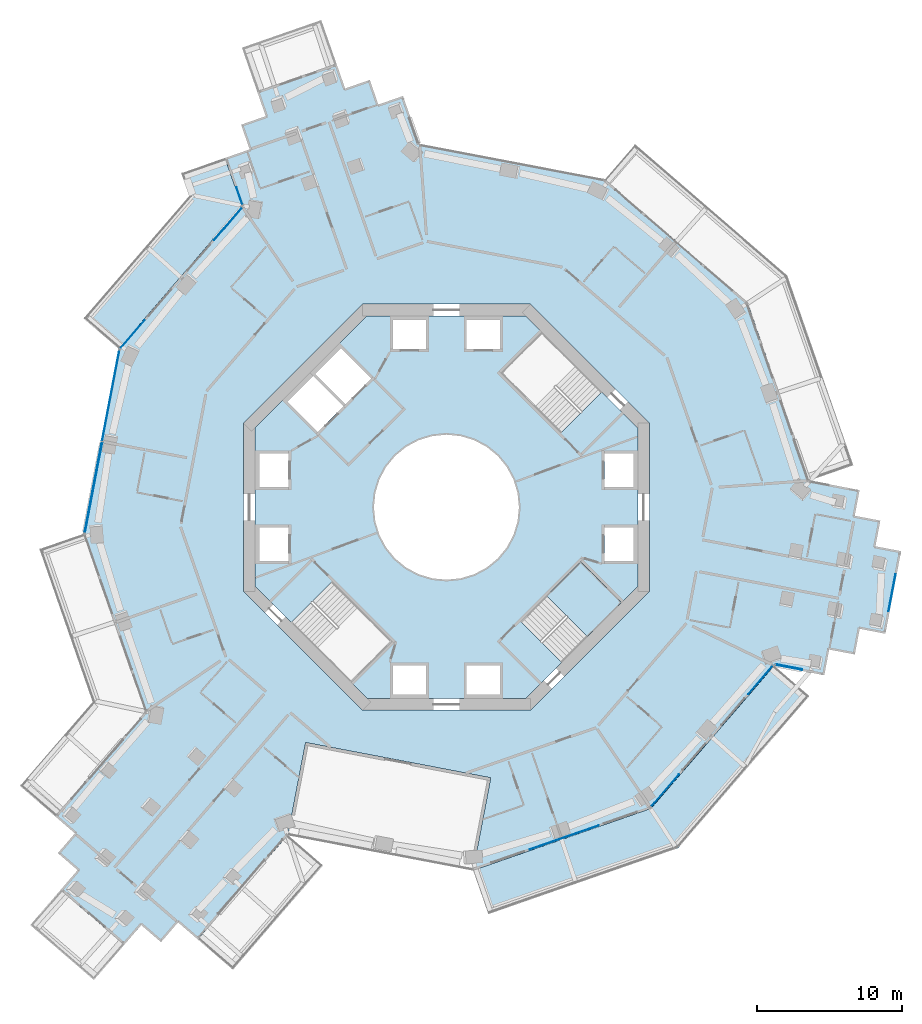
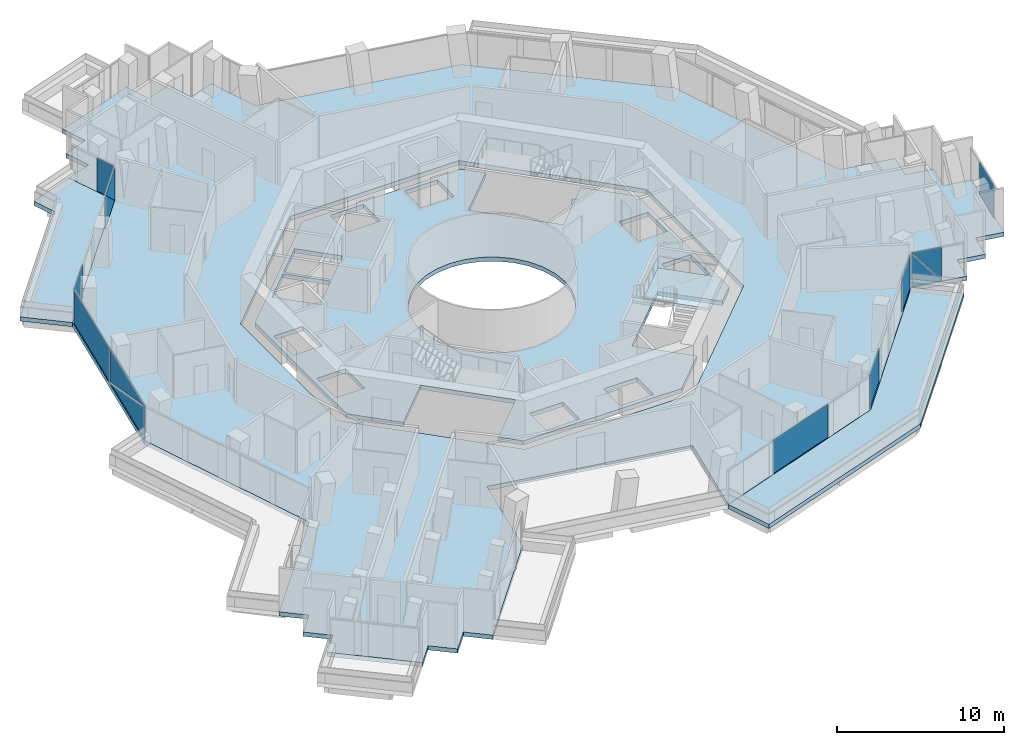
# One storey, part 12 of 23: 13 plates, 5 slabs, 8 elements without a shape of their own.
"""IFC4 building model written with IfcOpenShell, lengths in metres."""

from ifc_helpers import new_model, si_unit, direction, frame, origin, origin_2d, place, context, subcontext, project, spatial, polyline, rectangle, outline, extrude, material, layer, layer_set, type_object, element, aggregate, save


model = new_model("IFC4")

# Units and contexts
model_context = context("Model", 3, precision=1e-05, world=origin(), true_north=direction((0.0, 1.0)))
body_context = subcontext(model_context, "Body", "Model", "MODEL_VIEW")
ifc_project = project(units=[si_unit("LENGTHUNIT", "METRE"), si_unit("AREAUNIT", "SQUARE_METRE"), si_unit("VOLUMEUNIT", "CUBIC_METRE"), si_unit("PLANEANGLEUNIT", "RADIAN"), si_unit("MASSUNIT", "GRAM", prefix="KILO")], contexts=[model_context])

# Site, building, storey
site_placement = place(None, origin())
site = spatial("IfcSite", under=ifc_project, at=site_placement, CompositionType="ELEMENT")
building_placement = place(site_placement, origin())
building = spatial("IfcBuilding", under=site, at=building_placement, Name="Verdalira Terraces Hotel", CompositionType="ELEMENT")
storey_placement = place(building_placement, frame((0.0, 0.0, 111.5)))
storey = spatial("IfcBuildingStorey", under=building, at=storey_placement, Name="L26", CompositionType="ELEMENT", Elevation=111.5)

# Slabs
ifc_material_1 = material(Name="Precast concrete C40/50", Category="concrete")
ifc_layer_1 = layer(ifc_material_1, 0.31005859375)
ifc_layer_set_1 = layer_set([ifc_layer_1], Name="Balcony deck 310")
slab_type_1 = type_object("IfcSlabType", Name="Balcony deck 310", PredefinedType="FLOOR", material=ifc_layer_set_1)
slab_1_placement = place(storey_placement, frame((0.0, 0.0, -0.310059)))
element("IfcSlab", 1, at=slab_1_placement, inside=storey, type_object=slab_type_1, Name="Balcony deck", PredefinedType="FLOOR", context=body_context, shape_type="SweptSolid", body=[
    extrude(outline(polyline([(-17.74585, 21.463623), (-25.032959, 13.021484), (-22.610596, 10.93042), (-14.116211, 20.77124), (-15.271484, 24.088867), (-18.293457, 23.036621), (-17.74585, 21.463623)])), origin(), (0.0, 0.0, 1.0), 0.310059),
])
slab_2_placement = place(storey_placement, frame((0.0, 0.0, -0.310059)))
element("IfcSlab", 2, at=slab_2_placement, inside=storey, type_object=slab_type_1, Name="Balcony deck", PredefinedType="FLOOR", context=body_context, shape_type="SweptSolid", body=[
    extrude(outline(polyline([(25.032959, -13.021484), (22.610596, -10.93042), (14.116211, -20.77124), (1.839355, -25.046631), (2.891602, -28.068604), (15.978271, -23.511475), (25.032959, -13.021484)])), origin(), (0.0, 0.0, 1.0), 0.310059),
])

# Curtain wall, plates
ifc_material_2 = material(Name="Clear glass", Category="glass")
ifc_layer_2 = layer(ifc_material_2, 0.14990234375)
ifc_layer_set_2 = layer_set([ifc_layer_2], Name="CW1 curtain wall")
curtain_wall_type_1 = type_object("IfcCurtainWallType", Name="CW1 curtain wall", PredefinedType="NOTDEFINED", material=ifc_layer_set_2)
curtain_wall_1_placement = place(storey_placement, origin())
curtain_wall_1 = element("IfcCurtainWall", 3, at=curtain_wall_1_placement, inside=storey, type_object=curtain_wall_type_1, Name="CW1 curtain wall L26 edge 11", PredefinedType="NOTDEFINED")
ifc_material_3 = material(Name="Clear glass", Category="glass")
ifc_layer_3 = layer(ifc_material_3, 0.028076171875)
ifc_layer_set_3 = layer_set([ifc_layer_3], Name="CW1 glass unit 28")
plate_type_1 = type_object("IfcPlateType", Name="CW1 glass unit 28", PredefinedType="CURTAIN_PANEL", material=ifc_layer_set_3)
plate_1_placement = place(storey_placement, frame((-15.056641, 19.54541, 1.212402), z_axis=(-0.756995056, 0.653420604, 0.0), x_axis=(-0.653420604, -0.756995056, 0.0)))
plate_1 = element("IfcPlate", 4, at=plate_1_placement, type_object=plate_type_1, Name="CW1 glass unit", PredefinedType="CURTAIN_PANEL", context=body_context, shape_type="SweptSolid", body=[
    extrude(outline(polyline([(-1.482422, -1.212402), (1.482422, -1.212402), (1.482422, 1.212402), (-1.482422, -1.212402)])), origin(), (0.0, 0.0, 1.0), 0.028076),
])
plate_2_placement = place(storey_placement, frame((-15.034668, 19.526611, 1.212402), z_axis=(-0.756995056, 0.653420604, 0.0), x_axis=(-0.653420604, -0.756995056, 0.0)))
plate_2 = element("IfcPlate", 5, at=plate_2_placement, type_object=plate_type_1, Name="CW1 glass unit", PredefinedType="CURTAIN_PANEL", context=body_context, shape_type="SweptSolid", body=[
    extrude(outline(polyline([(-1.482422, -1.212402), (1.482422, 1.212402), (-1.482422, 1.212402), (-1.482422, -1.212402)])), origin(), (0.0, 0.0, 1.0), 0.028076),
])
plate_3_placement = place(storey_placement, frame((-21.650635, 11.927734, 0.0), z_axis=(0.0, 0.0, 1.0), x_axis=(-0.653420604, -0.756995056, 0.0)))
plate_3 = element("IfcPlate", 6, at=plate_3_placement, type_object=plate_type_1, Name="CW1 glass unit", PredefinedType="CURTAIN_PANEL", context=body_context, shape_type="SweptSolid", body=[
    extrude(rectangle(XDim=2.564209, YDim=0.028076, at=origin_2d()), origin(), (0.0, 0.0, 1.0), 2.425049),
])
aggregate(curtain_wall_1, [plate_1, plate_2, plate_3])

curtain_wall_2_placement = place(storey_placement, origin())
curtain_wall_2 = element("IfcCurtainWall", 7, at=curtain_wall_2_placement, inside=storey, type_object=curtain_wall_type_1, Name="CW1 curtain wall L26 edge 12", PredefinedType="NOTDEFINED")
plate_4_placement = place(storey_placement, frame((-23.152588, 7.689453, 0.0), z_axis=(0.0, 0.0, 1.0), x_axis=(-0.187381315, -0.982287251, 0.0)))
plate_4 = element("IfcPlate", 8, at=plate_4_placement, type_object=plate_type_1, Name="CW1 glass unit", PredefinedType="CURTAIN_PANEL", context=body_context, shape_type="SweptSolid", body=[
    extrude(rectangle(XDim=6.369873, YDim=0.028076, at=origin_2d()), origin(), (0.0, 0.0, 1.0), 2.425049),
])
plate_5_placement = place(storey_placement, frame((-24.34375, 1.37085, 1.212402), z_axis=(-0.982287251, 0.187381315, 0.0), x_axis=(-0.187381315, -0.982287251, 0.0)))
plate_5 = element("IfcPlate", 9, at=plate_5_placement, type_object=plate_type_1, Name="CW1 glass unit", PredefinedType="CURTAIN_PANEL", context=body_context, shape_type="SweptSolid", body=[
    extrude(outline(polyline([(-3.185059, -1.212402), (3.185059, -1.212402), (3.185059, 1.212402), (-3.185059, -1.212402)])), origin(), (0.0, 0.0, 1.0), 0.028076),
])
plate_6_placement = place(storey_placement, frame((-24.315186, 1.365479, 1.212402), z_axis=(-0.982287251, 0.187381315, 0.0), x_axis=(-0.187381315, -0.982287251, 0.0)))
plate_6 = element("IfcPlate", 10, at=plate_6_placement, type_object=plate_type_1, Name="CW1 glass unit", PredefinedType="CURTAIN_PANEL", context=body_context, shape_type="SweptSolid", body=[
    extrude(outline(polyline([(-3.185059, -1.212402), (3.185059, 1.212402), (-3.185059, 1.212402), (-3.185059, -1.212402)])), origin(), (0.0, 0.0, 1.0), 0.028076),
])
aggregate(curtain_wall_2, [plate_4, plate_5, plate_6])

# Curtain wall, plate
curtain_wall_3_placement = place(storey_placement, origin())
curtain_wall_3 = element("IfcCurtainWall", 11, at=curtain_wall_3_placement, inside=storey, type_object=curtain_wall_type_1, Name="CW1 curtain wall L26 edge 26", PredefinedType="NOTDEFINED")
plate_7_placement = place(storey_placement, frame((8.12207, -22.779297, 0.0), z_axis=(0.0, 0.0, 1.0), x_axis=(0.94437637, 0.328866647, 0.0)))
plate_7 = element("IfcPlate", 12, at=plate_7_placement, type_object=plate_type_1, Name="CW1 glass unit", PredefinedType="CURTAIN_PANEL", context=body_context, shape_type="SweptSolid", body=[
    extrude(rectangle(XDim=5.021729, YDim=0.028076, at=origin_2d()), origin(), (0.0, 0.0, 1.0), 2.425049),
])
aggregate(curtain_wall_3, [plate_7])

# Curtain wall, plates
curtain_wall_4_placement = place(storey_placement, origin())
curtain_wall_4 = element("IfcCurtainWall", 13, at=curtain_wall_4_placement, inside=storey, type_object=curtain_wall_type_1, Name="CW1 curtain wall L26 edge 27", PredefinedType="NOTDEFINED")
plate_8_placement = place(storey_placement, frame((15.080566, -19.539551, 0.0), z_axis=(0.0, 0.0, 1.0), x_axis=(0.653420604, 0.756995056, 0.0)))
plate_8 = element("IfcPlate", 14, at=plate_8_placement, type_object=plate_type_1, Name="CW1 glass unit", PredefinedType="CURTAIN_PANEL", context=body_context, shape_type="SweptSolid", body=[
    extrude(rectangle(XDim=2.924805, YDim=0.028076, at=origin_2d()), origin(), (0.0, 0.0, 1.0), 2.425049),
])
plate_9_placement = place(storey_placement, frame((21.663818, -11.912598, 0.0), z_axis=(0.0, 0.0, 1.0), x_axis=(0.653420604, 0.756995056, 0.0)))
plate_9 = element("IfcPlate", 15, at=plate_9_placement, type_object=plate_type_1, Name="CW1 glass unit", PredefinedType="CURTAIN_PANEL", context=body_context, shape_type="SweptSolid", body=[
    extrude(rectangle(XDim=2.604492, YDim=0.028076, at=origin_2d()), origin(), (0.0, 0.0, 1.0), 2.425049),
])
aggregate(curtain_wall_4, [plate_8, plate_9])

# Curtain wall, plate
ifc_material_4 = material(Name="Clear glass", Category="glass")
ifc_layer_4 = layer(ifc_material_4, 0.14990234375)
ifc_layer_set_4 = layer_set([ifc_layer_4], Name="CW2 curtain wall")
curtain_wall_type_2 = type_object("IfcCurtainWallType", Name="CW2 curtain wall", PredefinedType="NOTDEFINED", material=ifc_layer_set_4)
curtain_wall_5_placement = place(storey_placement, origin())
curtain_wall_5 = element("IfcCurtainWall", 16, at=curtain_wall_5_placement, inside=storey, type_object=curtain_wall_type_2, Name="CW2 curtain wall L26 edge 10", PredefinedType="NOTDEFINED")
ifc_material_5 = material(Name="Clear glass", Category="glass")
ifc_layer_5 = layer(ifc_material_5, 0.031982421875)
ifc_layer_set_5 = layer_set([ifc_layer_5], Name="CW2 glass unit 32")
plate_type_2 = type_object("IfcPlateType", Name="CW2 glass unit 32", PredefinedType="CURTAIN_PANEL", material=ifc_layer_set_5)
plate_10_placement = place(storey_placement, frame((-14.277832, 21.463135, 0.0), z_axis=(0.0, 0.0, 1.0), x_axis=(0.328866647, -0.94437637, 0.0)))
plate_10 = element("IfcPlate", 17, at=plate_10_placement, type_object=plate_type_2, Name="CW2 glass unit", PredefinedType="CURTAIN_PANEL", context=body_context, shape_type="SweptSolid", body=[
    extrude(rectangle(XDim=1.272949, YDim=0.031982, at=origin_2d()), origin(), (0.0, 0.0, 1.0), 2.425049),
])
aggregate(curtain_wall_5, [plate_10])

# Curtain wall, plates
curtain_wall_6_placement = place(storey_placement, origin())
curtain_wall_6 = element("IfcCurtainWall", 18, at=curtain_wall_6_placement, inside=storey, type_object=curtain_wall_type_2, Name="CW2 curtain wall L26 edge 28", PredefinedType="NOTDEFINED")
plate_11_placement = place(storey_placement, frame((23.611572, -11.028809, 1.212402), z_axis=(-0.187381315, -0.982287251, 0.0), x_axis=(0.982287251, -0.187381315, 0.0)))
plate_11 = element("IfcPlate", 19, at=plate_11_placement, type_object=plate_type_2, Name="CW2 glass unit", PredefinedType="CURTAIN_PANEL", context=body_context, shape_type="SweptSolid", body=[
    extrude(outline(polyline([(-0.931641, -1.212402), (0.931641, -1.212402), (-0.931641, 1.212402), (-0.931641, -1.212402)])), origin(), (0.0, 0.0, 1.0), 0.031982),
])
plate_12_placement = place(storey_placement, frame((23.61792, -10.996338, 1.212402), z_axis=(-0.187381315, -0.982287251, 0.0), x_axis=(0.982287251, -0.187381315, 0.0)))
plate_12 = element("IfcPlate", 20, at=plate_12_placement, type_object=plate_type_2, Name="CW2 glass unit", PredefinedType="CURTAIN_PANEL", context=body_context, shape_type="SweptSolid", body=[
    extrude(outline(polyline([(0.931641, -1.212402), (0.931641, 1.212402), (-0.931641, 1.212402), (0.931641, -1.212402)])), origin(), (0.0, 0.0, 1.0), 0.031982),
])
aggregate(curtain_wall_6, [plate_11, plate_12])

# Curtain wall, plate
ifc_material_6 = material(Name="Clear glass", Category="glass")
ifc_layer_6 = layer(ifc_material_6, 0.14990234375)
ifc_layer_set_6 = layer_set([ifc_layer_6], Name="CW3 curtain wall")
curtain_wall_type_3 = type_object("IfcCurtainWallType", Name="CW3 curtain wall", PredefinedType="NOTDEFINED", material=ifc_layer_set_6)
curtain_wall_7_placement = place(storey_placement, origin())
curtain_wall_7 = element("IfcCurtainWall", 21, at=curtain_wall_7_placement, inside=storey, type_object=curtain_wall_type_3, Name="CW3 curtain wall L26 edge 33", PredefinedType="NOTDEFINED")
ifc_material_7 = material(Name="Clear glass", Category="glass")
ifc_layer_7 = layer(ifc_material_7, 0.035888671875)
ifc_layer_set_7 = layer_set([ifc_layer_7], Name="CW3 glass unit 36")
plate_type_3 = type_object("IfcPlateType", Name="CW3 glass unit 36", PredefinedType="CURTAIN_PANEL", material=ifc_layer_set_7)
plate_13_placement = place(storey_placement, frame((30.733643, -5.907959, 0.0), z_axis=(0.0, 0.0, 1.0), x_axis=(0.187381315, 0.982287251, 0.0)))
plate_13 = element("IfcPlate", 22, at=plate_13_placement, type_object=plate_type_3, Name="CW3 glass unit", PredefinedType="CURTAIN_PANEL", context=body_context, shape_type="SweptSolid", body=[
    extrude(rectangle(XDim=2.589111, YDim=0.035889, at=origin_2d()), origin(), (0.0, 0.0, 1.0), 2.425049),
])
aggregate(curtain_wall_7, [plate_13])

# Slab
ifc_material_8 = material(Name="Concrete C40", Category="concrete")
ifc_layer_8 = layer(ifc_material_8, 0.31005859375)
ifc_layer_set_8 = layer_set([ifc_layer_8], Name="Core floor slab 310 mm")
slab_type_2 = type_object("IfcSlabType", Name="Core floor slab 310 mm", PredefinedType="FLOOR", material=ifc_layer_set_8)
slab_3_placement = place(storey_placement, frame((0.0, 0.0, -0.310059)))
element("IfcSlab", 23, at=slab_3_placement, inside=storey, type_object=slab_type_2, Name="L26 core floor", PredefinedType="FLOOR", context=body_context, shape_type="SweptSolid", body=[
    extrude(outline(polyline([(-5.467529, 13.199951), (5.467529, 13.199951), (6.562012, 12.105713), (3.719482, 9.263184), (7.869629, 5.112793), (10.712402, 7.955322), (13.199951, 5.467529), (13.199951, -5.467529), (12.105713, -6.562012), (9.263184, -3.719482), (5.112793, -7.869629), (7.955322, -10.712402), (5.467529, -13.199951), (-5.467529, -13.199951), (-6.562012, -12.105713), (-3.719482, -9.263184), (-7.869629, -5.112793), (-10.712402, -7.955322), (-13.199951, -5.467529), (-13.199951, 5.467529), (-5.467529, 13.199951)]), holes=[polyline([(12.899902, -3.699951), (12.899902, -1.399902), (10.899902, -1.399902), (10.899902, -3.699951), (12.899902, -3.699951)]), polyline([(12.899902, 1.399902), (12.899902, 3.699951), (10.899902, 3.699951), (10.899902, 1.399902), (12.899902, 1.399902)]), polyline([(1.399902, 10.899902), (3.699951, 10.899902), (3.699951, 12.899902), (1.399902, 12.899902), (1.399902, 10.899902)]), polyline([(-3.699951, 10.899902), (-1.399902, 10.899902), (-1.399902, 12.899902), (-3.699951, 12.899902), (-3.699951, 10.899902)]), polyline([(-12.899902, 3.699951), (-12.899902, 1.399902), (-10.899902, 1.399902), (-10.899902, 3.699951), (-12.899902, 3.699951)]), polyline([(-12.899902, -1.399902), (-12.899902, -3.699951), (-10.899902, -3.699951), (-10.899902, -1.399902), (-12.899902, -1.399902)]), polyline([(-1.399902, -10.899902), (-3.699951, -10.899902), (-3.699951, -12.899902), (-1.399902, -12.899902), (-1.399902, -10.899902)]), polyline([(3.699951, -10.899902), (1.399902, -10.899902), (1.399902, -12.899902), (3.699951, -12.899902), (3.699951, -10.899902)]), polyline([(-9.051025, 9.192383), (-6.965088, 7.106445), (-5.197266, 8.874268), (-7.283203, 10.960205), (-9.051025, 9.192383)]), polyline([(-9.192383, 9.051025), (-10.960205, 7.283203), (-8.874268, 5.197266), (-7.106445, 6.965088), (-9.192383, 9.051025)]), polyline([(3.5354, 3.5354), (2.777832, 4.157227), (1.91333, 4.619385), (0.975586, 4.903809), (0.0, 5.0), (-0.975586, 4.903809), (-1.91333, 4.619385), (-2.777832, 4.157227), (-3.5354, 3.5354), (-4.157227, 2.777832), (-4.619385, 1.91333), (-4.903809, 0.975586), (-5.0, 0.0), (-4.903809, -0.975586), (-4.619385, -1.91333), (-4.157227, -2.777832), (-3.5354, -3.5354), (-2.777832, -4.157227), (-1.91333, -4.619385), (-0.975586, -4.903809), (0.0, -5.0), (0.975586, -4.903809), (1.91333, -4.619385), (2.777832, -4.157227), (3.5354, -3.5354), (4.157227, -2.777832), (4.619385, -1.91333), (4.903809, -0.975586), (5.0, 0.0), (4.903809, 0.975586), (4.619385, 1.91333), (4.157227, 2.777832), (3.5354, 3.5354)])]), origin(), (0.0, 0.0, 1.0), 0.310059),
])

# Stair, slab
ifc_material_9 = material(Name="Concrete C40", Category="concrete")
stair_type = type_object("IfcStairType", Name="Core stair 20 risers 1950 mm wide", PredefinedType="HALF_TURN_STAIR", material=ifc_material_9)
stair_placement = place(storey_placement, origin())
stair = element("IfcStair", 24, at=stair_placement, inside=storey, type_object=stair_type, Name="L26 Exit stair ST3", PredefinedType="HALF_TURN_STAIR")
ifc_material_10 = material(Name="Concrete C40", Category="concrete")
ifc_layer_9 = layer(ifc_material_10, 0.199951171875)
ifc_layer_set_9 = layer_set([ifc_layer_9], Name="Core stair landing 200 mm")
slab_type_3 = type_object("IfcSlabType", Name="Core stair landing 200 mm", PredefinedType="LANDING", material=ifc_layer_set_9)
slab_4_placement = place(storey_placement, frame((0.0, 0.0, 1.550049)))
slab_4 = element("IfcSlab", 25, at=slab_4_placement, type_object=slab_type_3, Name="ST3 landing 1", PredefinedType="LANDING", context=body_context, shape_type="SweptSolid", body=[
    extrude(outline(polyline([(9.736572, -8.931152), (12.091553, -6.576172), (9.263184, -3.747559), (6.907959, -6.102783), (9.736572, -8.931152)])), origin(), (0.0, 0.0, 1.0), 0.199951),
])
aggregate(stair, [slab_4])

# Slab
ifc_material_11 = material(Name="Concrete C40", Category="concrete")
ifc_layer_10 = layer(ifc_material_11, 0.31005859375)
ifc_layer_set_10 = layer_set([ifc_layer_10], Name="Floor slab 310 C40")
slab_type_4 = type_object("IfcSlabType", Name="Floor slab 310 C40", PredefinedType="FLOOR", material=ifc_layer_set_10)
slab_5_placement = place(storey_placement, frame((0.0, 0.0, -0.310059)))
element("IfcSlab", 26, at=slab_5_placement, inside=storey, type_object=slab_type_4, Name="Floor slab L26", PredefinedType="FLOOR", context=body_context, shape_type="SweptSolid", body=[
    extrude(outline(polyline([(-18.509033, -28.635742), (-17.146484, -29.812012), (-10.930908, -22.611084), (-10.930908, -22.611084), (-9.712891, -16.225098), (3.057861, -18.661377), (1.839844, -25.046387), (14.116211, -20.771484), (22.610596, -10.93042), (26.061279, -11.588623), (26.398682, -9.820557), (28.166748, -10.157959), (28.50415, -8.389648), (30.272217, -8.727051), (31.358887, -3.029785), (29.59082, -2.692383), (29.928223, -0.924316), (28.160156, -0.587158), (28.497314, 1.180908), (25.046631, 1.839355), (20.771484, 14.116211), (10.93042, 22.610596), (-1.839355, 25.046631), (-2.994629, 28.364258), (-4.69458, 27.772217), (-5.286377, 29.472168), (-6.986328, 28.880127), (-7.578369, 30.580078), (-13.055664, 28.672607), (-12.463623, 26.972656), (-14.163574, 26.380859), (-13.571533, 24.680908), (-15.271484, 24.088867), (-14.116211, 20.771484), (-22.610596, 10.93042), (-25.046631, -1.839355), (-20.771484, -14.116211), (-26.987305, -21.317383), (-25.624756, -22.493652), (-26.800781, -23.856201), (-25.438232, -25.032471), (-26.614502, -26.39502), (-22.223877, -30.184814), (-21.047607, -28.822266), (-19.685059, -29.998291), (-18.509033, -28.635742)]), holes=[polyline([(5.799072, 14.0), (14.0, 5.799072), (14.0, -5.799072), (5.799072, -14.0), (-5.799072, -14.0), (-14.0, -5.799072), (-14.0, 5.799072), (-5.799072, 14.0), (5.799072, 14.0)])]), origin(), (0.0, 0.0, 1.0), 0.310059),
])

save(model, "model.ifc")
